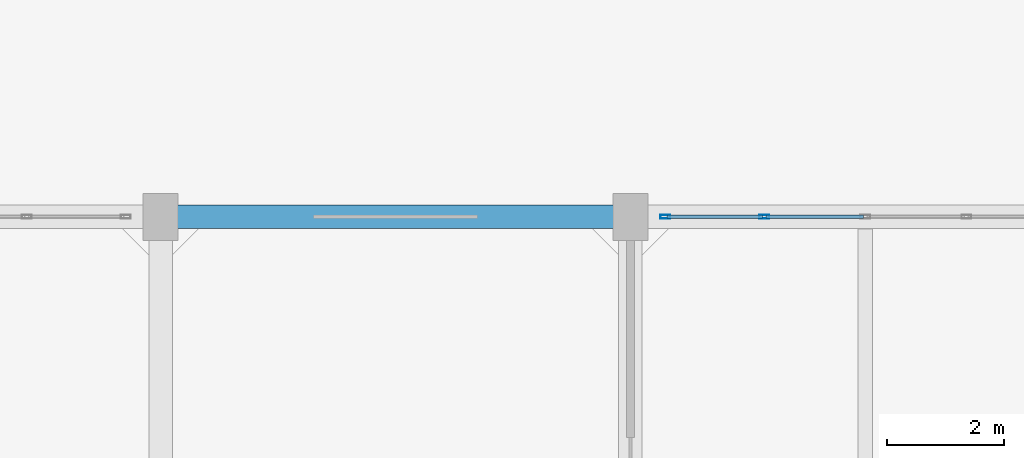
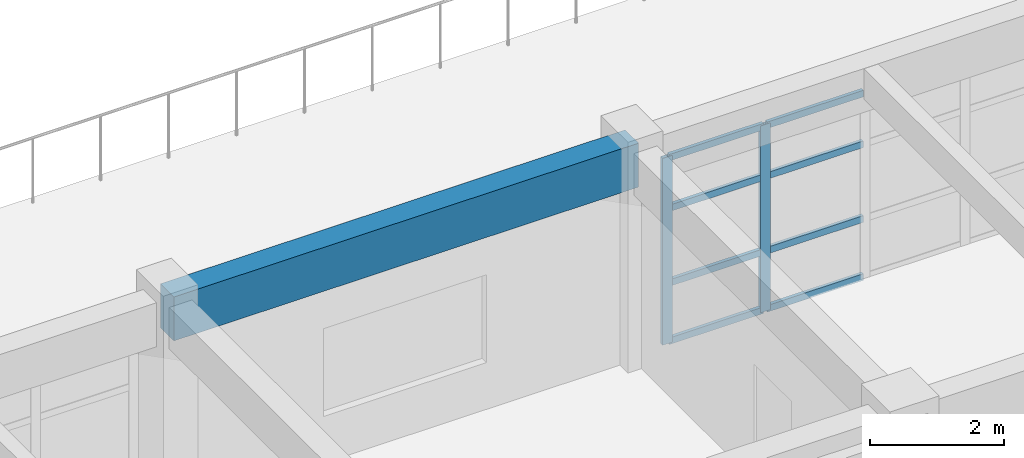
# One storey, part 18 of 30: 10 members, 1 beam, 1 element without a shape of its own.
"""IFC4 building model written with IfcOpenShell, lengths in metres."""

from ifc_helpers import new_model, si_unit, direction, frame, origin, origin_2d, place, context, subcontext, project, spatial, rectangle, hollow_rectangle, extrude, material, layer, layer_set, material_profile, profile_set, type_object, element, aggregate, save


model = new_model("IFC4")

# Units and contexts
model_context = context("Model", 3, precision=1e-05, world=origin(), true_north=direction((0.0, 1.0)))
body_context = subcontext(model_context, "Body", "Model", "MODEL_VIEW")
ifc_project = project(units=[si_unit("LENGTHUNIT", "METRE"), si_unit("AREAUNIT", "SQUARE_METRE"), si_unit("VOLUMEUNIT", "CUBIC_METRE"), si_unit("PLANEANGLEUNIT", "RADIAN"), si_unit("MASSUNIT", "GRAM", prefix="KILO")], contexts=[model_context])

# Site, building, storey
site_placement = place(None, origin())
site = spatial("IfcSite", under=ifc_project, at=site_placement, CompositionType="ELEMENT")
building_placement = place(site_placement, origin())
building = spatial("IfcBuilding", under=site, at=building_placement, Name="Canggui Botanical Conservatory", CompositionType="ELEMENT")
storey_placement = place(building_placement, frame((0.0, 0.0, 19.199951171875)))
storey = spatial("IfcBuildingStorey", under=building, at=storey_placement, Name="L05", CompositionType="ELEMENT", Elevation=19.199951171875)

# Beam
ifc_material_1 = material(Name="Concrete C35", Category="concrete")
ifc_material_profile_1 = material_profile(ifc_material_1, rectangle(XDim=0.39990234375, YDim=0.800048828125, at=origin_2d()), Name="RB 400x800")
ifc_profile_set_1 = profile_set([ifc_material_profile_1], Name="Concrete C35")
beam_type = type_object("IfcBeamType", Name="BM-KL09", PredefinedType="BEAM", material=ifc_profile_set_1)
beam_placement = place(storey_placement, frame((154.0, 74.0, 3.56005859375), z_axis=(1.0, 0.0, 0.0), x_axis=(0.0, 1.0, 0.0)))
element("IfcBeam", 1, at=beam_placement, inside=storey, type_object=beam_type, Name="Frame Girder L05 Y74-3", PredefinedType="BEAM", context=body_context, shape_type="SweptSolid", body=[
    extrude(rectangle(XDim=0.39990234375, YDim=0.800048828125, at=origin_2d()), origin(), (0.0, 0.0, 1.0), 8.0),
])

# Curtain wall, members
ifc_material_2 = material(Name="Thermally Broken Aluminium", Category="aluminium")
ifc_layer = layer(ifc_material_2, 0.1650390625, Name="Thermally Broken Aluminium", Category="aluminium")
ifc_layer_set = layer_set([ifc_layer], Name="Thermally Broken Aluminium")
curtain_wall_type = type_object("IfcCurtainWallType", Name="CW-UNIT-B", PredefinedType="USERDEFINED", material=ifc_layer_set)
curtain_wall_placement = place(storey_placement, origin())
curtain_wall = element("IfcCurtainWall", 2, at=curtain_wall_placement, inside=storey, type_object=curtain_wall_type, Name="Facade Curtain Wall CW-TWR-L05-15", ObjectType="UNITISED CURTAIN WALL", PredefinedType="USERDEFINED")
ifc_material_profile_2 = material_profile(ifc_material_2, hollow_rectangle(XDim=0.06494140625, YDim=0.1650390625, WallThickness=0.00390625, at=origin_2d()), Name="CWM 65x165x4")
ifc_profile_set_2 = profile_set([ifc_material_profile_2], Name="Thermally Broken Aluminium")
member_type_1 = type_object("IfcMemberType", Name="CWM-02", PredefinedType="MULLION", material=ifc_profile_set_2)
member_1_placement = place(storey_placement, frame((162.592529296875, 74.0, 0.0), z_axis=(0.0, 0.0, 1.0), x_axis=(0.0, 1.0, 0.0)))
member_1 = element("IfcMember", 3, at=member_1_placement, type_object=member_type_1, Name="CW-02 mullion 1", PredefinedType="MULLION", context=body_context, shape_type="SweptSolid", body=[
    extrude(hollow_rectangle(XDim=0.06494140625, YDim=0.1650390625, WallThickness=0.00390625, at=origin_2d()), origin(), (0.0, 0.0, 1.0), 3.400146484375),
])
member_2_placement = place(storey_placement, frame((164.280029296875, 74.0, 0.0), z_axis=(0.0, 0.0, 1.0), x_axis=(0.0, 1.0, 0.0)))
member_2 = element("IfcMember", 4, at=member_2_placement, type_object=member_type_1, Name="CW-02 mullion 2", PredefinedType="MULLION", context=body_context, shape_type="SweptSolid", body=[
    extrude(hollow_rectangle(XDim=0.06494140625, YDim=0.1650390625, WallThickness=0.00390625, at=origin_2d()), origin(), (0.0, 0.0, 1.0), 3.400146484375),
])
ifc_material_profile_3 = material_profile(ifc_material_2, hollow_rectangle(XDim=0.06005859375, YDim=0.1201171875, WallThickness=0.00341796875, at=origin_2d()), Name="CWT 60x120x3.5")
ifc_profile_set_3 = profile_set([ifc_material_profile_3], Name="Thermally Broken Aluminium")
member_type_2 = type_object("IfcMemberType", Name="CWT-02", PredefinedType="USERDEFINED", material=ifc_profile_set_3)
member_3_placement = place(storey_placement, frame((162.625, 74.0, 0.030029296875), z_axis=(1.0, 0.0, 0.0), x_axis=(0.0, 1.0, 0.0)))
member_3 = element("IfcMember", 5, at=member_3_placement, type_object=member_type_2, Name="CW-02 transom 1.1", ObjectType="TRANSOM", PredefinedType="USERDEFINED", context=body_context, shape_type="SweptSolid", body=[
    extrude(hollow_rectangle(XDim=0.06005859375, YDim=0.1201171875, WallThickness=0.00341796875, at=origin_2d()), origin(), (0.0, 0.0, 1.0), 1.62255859375),
])
member_4_placement = place(storey_placement, frame((162.625, 74.0, 1.088134765625), z_axis=(1.0, 0.0, 0.0), x_axis=(0.0, 1.0, 0.0)))
member_4 = element("IfcMember", 6, at=member_4_placement, type_object=member_type_2, Name="CW-02 transom 1.2", ObjectType="TRANSOM", PredefinedType="USERDEFINED", context=body_context, shape_type="SweptSolid", body=[
    extrude(hollow_rectangle(XDim=0.06005859375, YDim=0.1201171875, WallThickness=0.00341796875, at=origin_2d()), origin(), (0.0, 0.0, 1.0), 1.62255859375),
])
member_5_placement = place(storey_placement, frame((162.625, 74.0, 2.447998046875), z_axis=(1.0, 0.0, 0.0), x_axis=(0.0, 1.0, 0.0)))
member_5 = element("IfcMember", 7, at=member_5_placement, type_object=member_type_2, Name="CW-02 transom 1.3", ObjectType="TRANSOM", PredefinedType="USERDEFINED", context=body_context, shape_type="SweptSolid", body=[
    extrude(hollow_rectangle(XDim=0.06005859375, YDim=0.1201171875, WallThickness=0.00341796875, at=origin_2d()), origin(), (0.0, 0.0, 1.0), 1.62255859375),
])
member_6_placement = place(storey_placement, frame((162.625, 74.0, 3.3701171875), z_axis=(1.0, 0.0, 0.0), x_axis=(0.0, 1.0, 0.0)))
member_6 = element("IfcMember", 8, at=member_6_placement, type_object=member_type_2, Name="CW-02 transom 1.4", ObjectType="TRANSOM", PredefinedType="USERDEFINED", context=body_context, shape_type="SweptSolid", body=[
    extrude(hollow_rectangle(XDim=0.06005859375, YDim=0.1201171875, WallThickness=0.00341796875, at=origin_2d()), origin(), (0.0, 0.0, 1.0), 1.62255859375),
])
member_7_placement = place(storey_placement, frame((164.3125, 74.0, 0.030029296875), z_axis=(1.0, 0.0, 0.0), x_axis=(0.0, 1.0, 0.0)))
member_7 = element("IfcMember", 9, at=member_7_placement, type_object=member_type_2, Name="CW-02 transom 2.1", ObjectType="TRANSOM", PredefinedType="USERDEFINED", context=body_context, shape_type="SweptSolid", body=[
    extrude(hollow_rectangle(XDim=0.06005859375, YDim=0.1201171875, WallThickness=0.00341796875, at=origin_2d()), origin(), (0.0, 0.0, 1.0), 1.655029296875),
])
member_8_placement = place(storey_placement, frame((164.3125, 74.0, 1.088134765625), z_axis=(1.0, 0.0, 0.0), x_axis=(0.0, 1.0, 0.0)))
member_8 = element("IfcMember", 10, at=member_8_placement, type_object=member_type_2, Name="CW-02 transom 2.2", ObjectType="TRANSOM", PredefinedType="USERDEFINED", context=body_context, shape_type="SweptSolid", body=[
    extrude(hollow_rectangle(XDim=0.06005859375, YDim=0.1201171875, WallThickness=0.00341796875, at=origin_2d()), origin(), (0.0, 0.0, 1.0), 1.655029296875),
])
member_9_placement = place(storey_placement, frame((164.3125, 74.0, 2.447998046875), z_axis=(1.0, 0.0, 0.0), x_axis=(0.0, 1.0, 0.0)))
member_9 = element("IfcMember", 11, at=member_9_placement, type_object=member_type_2, Name="CW-02 transom 2.3", ObjectType="TRANSOM", PredefinedType="USERDEFINED", context=body_context, shape_type="SweptSolid", body=[
    extrude(hollow_rectangle(XDim=0.06005859375, YDim=0.1201171875, WallThickness=0.00341796875, at=origin_2d()), origin(), (0.0, 0.0, 1.0), 1.655029296875),
])
member_10_placement = place(storey_placement, frame((164.3125, 74.0, 3.3701171875), z_axis=(1.0, 0.0, 0.0), x_axis=(0.0, 1.0, 0.0)))
member_10 = element("IfcMember", 12, at=member_10_placement, type_object=member_type_2, Name="CW-02 transom 2.4", ObjectType="TRANSOM", PredefinedType="USERDEFINED", context=body_context, shape_type="SweptSolid", body=[
    extrude(hollow_rectangle(XDim=0.06005859375, YDim=0.1201171875, WallThickness=0.00341796875, at=origin_2d()), origin(), (0.0, 0.0, 1.0), 1.655029296875),
])
aggregate(curtain_wall, [member_1, member_2, member_3, member_4, member_5, member_6, member_7, member_8, member_9, member_10])

save(model, "model.ifc")
